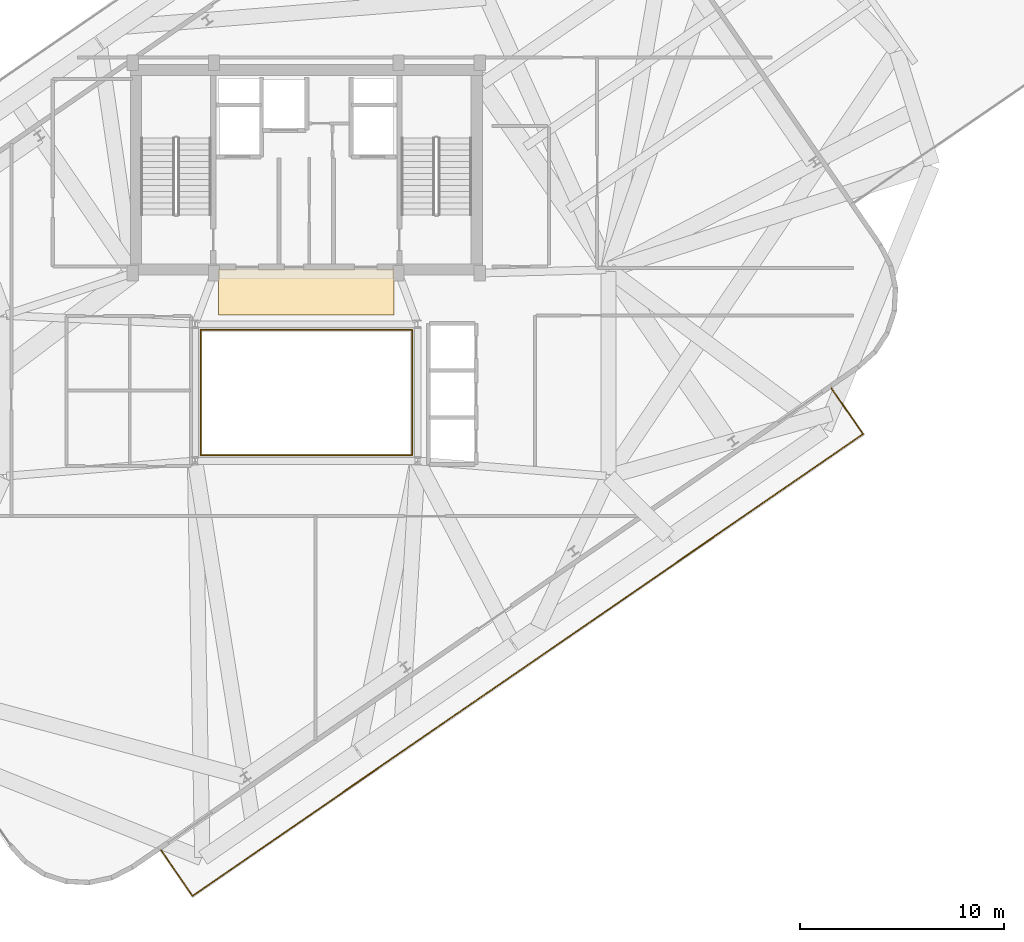
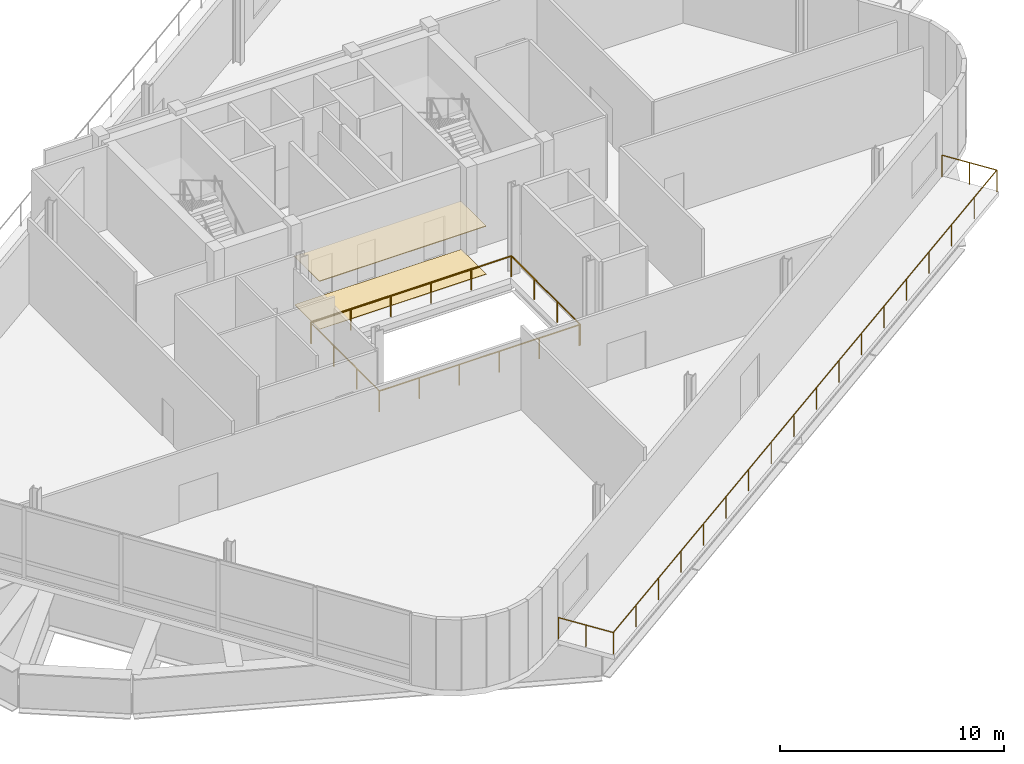
# One storey, part 14 of 18: 3 railings, 2 coverings.
"""IFC4 building model written with IfcOpenShell, lengths in metres."""

from ifc_helpers import new_model, si_unit, direction, frame, origin, origin_2d, place, context, subcontext, project, spatial, rectangle, circle, extrude, source, transform, mapped, material, layer, layer_set, type_object, element, save


model = new_model("IFC4")

# Units and contexts
model_context = context("Model", 3, precision=1e-05, world=origin(), true_north=direction((0.0, 1.0)))
body_context = subcontext(model_context, "Body", "Model", "MODEL_VIEW")
ifc_project = project(units=[si_unit("LENGTHUNIT", "METRE"), si_unit("AREAUNIT", "SQUARE_METRE"), si_unit("VOLUMEUNIT", "CUBIC_METRE"), si_unit("PLANEANGLEUNIT", "RADIAN"), si_unit("MASSUNIT", "GRAM", prefix="KILO")], contexts=[model_context])

# Site, building, storey
site_placement = place(None, origin())
site = spatial("IfcSite", under=ifc_project, at=site_placement, CompositionType="ELEMENT")
building_placement = place(site_placement, origin())
building = spatial("IfcBuilding", under=site, at=building_placement, Name="Varnelok Gate Tower", CompositionType="ELEMENT")
storey_placement = place(building_placement, frame((0.0, 0.0, 296.300048828125)))
storey = spatial("IfcBuildingStorey", under=building, at=storey_placement, Name="L76", CompositionType="ELEMENT", Elevation=296.300048828125)

# Railings
ifc_material_1 = material(Name="Tempered Laminated Balustrade Glass", Category="glass")
railing_type_1 = type_object("IfcRailingType", Name="RL-ATR-GUARD1150", PredefinedType="GUARDRAIL", material=ifc_material_1)
railing_1_placement = place(storey_placement, frame((34.02001953125, 25.929931640625, 0.0)))
element("IfcRailing", 1, at=railing_1_placement, inside=storey, type_object=railing_type_1, Name="L76 Internal Atrium South-West Guardrail", PredefinedType="GUARDRAIL", context=body_context, shape_type="SweptSolid", body=[
    extrude(circle(Radius=0.02392578125, at=origin_2d()), frame((0.0, 0.0, 1.1259765625), z_axis=(0.0, -1.0, 0.0), x_axis=(1.0, 0.0, 0.0)), (0.0, 0.0, 1.0), 6.10986328125),
    extrude(circle(Radius=0.02392578125, at=origin_2d()), frame((0.0, -6.10986328125, 1.1259765625), z_axis=(1.0, 0.0, 0.0), x_axis=(0.0, 1.0, 0.0)), (0.0, 0.0, 1.0), 10.31005859375),
    extrude(circle(Radius=0.02099609375, at=origin_2d()), origin(), (0.0, 0.0, 1.0), 1.101806640625),
    extrude(circle(Radius=0.02099609375, at=origin_2d()), frame((0.0, -2.03662109375, 0.0)), (0.0, 0.0, 1.0), 1.101806640625),
    extrude(circle(Radius=0.02099609375, at=origin_2d()), frame((0.0, -4.0732421875, 0.0)), (0.0, 0.0, 1.0), 1.101806640625),
    extrude(circle(Radius=0.02099609375, at=origin_2d()), frame((0.0, -6.10986328125, 0.0)), (0.0, 0.0, 1.0), 1.101806640625),
    extrude(circle(Radius=0.02099609375, at=origin_2d()), frame((2.06201171875, -6.10986328125, 0.0)), (0.0, 0.0, 1.0), 1.101806640625),
    extrude(circle(Radius=0.02099609375, at=origin_2d()), frame((4.1240234375, -6.10986328125, 0.0)), (0.0, 0.0, 1.0), 1.101806640625),
    extrude(circle(Radius=0.02099609375, at=origin_2d()), frame((6.18603515625, -6.10986328125, 0.0)), (0.0, 0.0, 1.0), 1.101806640625),
    extrude(circle(Radius=0.02099609375, at=origin_2d()), frame((8.248046875, -6.10986328125, 0.0)), (0.0, 0.0, 1.0), 1.101806640625),
    extrude(circle(Radius=0.02099609375, at=origin_2d()), frame((10.31005859375, -6.10986328125, 0.0)), (0.0, 0.0, 1.0), 1.101806640625),
])
railing_2_placement = place(storey_placement, frame((44.3798828125, 19.820068359375, 0.0)))
element("IfcRailing", 2, at=railing_2_placement, inside=storey, type_object=railing_type_1, Name="L76 Internal Atrium North-East Guardrail", PredefinedType="GUARDRAIL", context=body_context, shape_type="SweptSolid", body=[
    extrude(circle(Radius=0.02392578125, at=origin_2d()), frame((0.0, 0.0, 1.1259765625), z_axis=(0.0, 1.0, 0.0), x_axis=(-1.0, 0.0, 0.0)), (0.0, 0.0, 1.0), 6.159912109375),
    extrude(circle(Radius=0.02392578125, at=origin_2d()), frame((0.0, 6.159912109375, 1.1259765625), z_axis=(-1.0, 0.0, 0.0), x_axis=(0.0, -1.0, 0.0)), (0.0, 0.0, 1.0), 10.35986328125),
    extrude(circle(Radius=0.02099609375, at=origin_2d()), origin(), (0.0, 0.0, 1.0), 1.101806640625),
    extrude(circle(Radius=0.02099609375, at=origin_2d()), frame((0.0, 2.05322265625, 0.0)), (0.0, 0.0, 1.0), 1.101806640625),
    extrude(circle(Radius=0.02099609375, at=origin_2d()), frame((0.0, 4.106689453125, 0.0)), (0.0, 0.0, 1.0), 1.101806640625),
    extrude(circle(Radius=0.02099609375, at=origin_2d()), frame((0.0, 6.159912109375, 0.0)), (0.0, 0.0, 1.0), 1.101806640625),
    extrude(circle(Radius=0.02099609375, at=origin_2d()), frame((-2.072021484375, 6.159912109375, 0.0)), (0.0, 0.0, 1.0), 1.101806640625),
    extrude(circle(Radius=0.02099609375, at=origin_2d()), frame((-4.14404296875, 6.159912109375, 0.0)), (0.0, 0.0, 1.0), 1.101806640625),
    extrude(circle(Radius=0.02099609375, at=origin_2d()), frame((-6.2158203125, 6.159912109375, 0.0)), (0.0, 0.0, 1.0), 1.101806640625),
    extrude(circle(Radius=0.02099609375, at=origin_2d()), frame((-8.287841796875, 6.159912109375, 0.0)), (0.0, 0.0, 1.0), 1.101806640625),
    extrude(circle(Radius=0.02099609375, at=origin_2d()), frame((-10.35986328125, 6.159912109375, 0.0)), (0.0, 0.0, 1.0), 1.101806640625),
])
ifc_material_2 = material(Name="Anodized Aluminum Alloy 6063-T6", Category="aluminium")
railing_type_2 = type_object("IfcRailingType", Name="RL-SKYG-1200", PredefinedType="GUARDRAIL", material=ifc_material_2)
railing_3_placement = place(storey_placement, frame((32.08203125, 0.482666015625, 0.0)))
element("IfcRailing", 3, at=railing_3_placement, inside=storey, type_object=railing_type_2, Name="L76 South Terrace Balustrade 1", PredefinedType="GUARDRAIL", context=body_context, shape_type="SweptSolid", body=[
    extrude(circle(Radius=0.02392578125, at=origin_2d()), frame((0.0, 0.0, 1.17578125), z_axis=(0.567271418659, -0.82353089655, 0.0), x_axis=(0.82353089655, 0.567271418659, 0.0)), (0.0, 0.0, 1.0), 2.719970703125),
    extrude(circle(Radius=0.02392578125, at=origin_2d()), frame((1.54296875, -2.239990234375, 1.17578125), z_axis=(0.823529654384, 0.567273221958, 0.0), x_axis=(-0.567273221958, 0.823529654384, 0.0)), (0.0, 0.0, 1.0), 39.8798828125),
    extrude(circle(Radius=0.02392578125, at=origin_2d()), frame((34.38525390625, 20.3828125, 1.17578125), z_axis=(-0.56721053976, 0.823572828343, 0.0), x_axis=(-0.823572828343, -0.56721053976, 0.0)), (0.0, 0.0, 1.0), 2.7197265625),
    extrude(circle(Radius=0.02099609375, at=origin_2d()), origin(), (0.0, 0.0, 1.0), 1.15185546875),
    extrude(circle(Radius=0.02099609375, at=origin_2d()), frame((0.771484375, -1.1201171875, 0.0)), (0.0, 0.0, 1.0), 1.15185546875),
    extrude(circle(Radius=0.02099609375, at=origin_2d()), frame((1.54296875, -2.239990234375, 0.0)), (0.0, 0.0, 1.0), 1.15185546875),
    extrude(circle(Radius=0.02099609375, at=origin_2d()), frame((3.474853515625, -0.9091796875, 0.0)), (0.0, 0.0, 1.0), 1.15185546875),
    extrude(circle(Radius=0.02099609375, at=origin_2d()), frame((5.40673828125, 0.421630859375, 0.0)), (0.0, 0.0, 1.0), 1.15185546875),
    extrude(circle(Radius=0.02099609375, at=origin_2d()), frame((7.338623046875, 1.752197265625, 0.0)), (0.0, 0.0, 1.0), 1.15185546875),
    extrude(circle(Radius=0.02099609375, at=origin_2d()), frame((9.2705078125, 3.0830078125, 0.0)), (0.0, 0.0, 1.0), 1.15185546875),
    extrude(circle(Radius=0.02099609375, at=origin_2d()), frame((11.202392578125, 4.413818359375, 0.0)), (0.0, 0.0, 1.0), 1.15185546875),
    extrude(circle(Radius=0.02099609375, at=origin_2d()), frame((13.13427734375, 5.74462890625, 0.0)), (0.0, 0.0, 1.0), 1.15185546875),
    extrude(circle(Radius=0.02099609375, at=origin_2d()), frame((15.066162109375, 7.0751953125, 0.0)), (0.0, 0.0, 1.0), 1.15185546875),
    extrude(circle(Radius=0.02099609375, at=origin_2d()), frame((16.998046875, 8.406005859375, 0.0)), (0.0, 0.0, 1.0), 1.15185546875),
    extrude(circle(Radius=0.02099609375, at=origin_2d()), frame((18.93017578125, 9.73681640625, 0.0)), (0.0, 0.0, 1.0), 1.15185546875),
    extrude(circle(Radius=0.02099609375, at=origin_2d()), frame((20.862060546875, 11.067626953125, 0.0)), (0.0, 0.0, 1.0), 1.15185546875),
    extrude(circle(Radius=0.02099609375, at=origin_2d()), frame((22.7939453125, 12.398193359375, 0.0)), (0.0, 0.0, 1.0), 1.15185546875),
    extrude(circle(Radius=0.02099609375, at=origin_2d()), frame((24.725830078125, 13.72900390625, 0.0)), (0.0, 0.0, 1.0), 1.15185546875),
    extrude(circle(Radius=0.02099609375, at=origin_2d()), frame((26.65771484375, 15.059814453125, 0.0)), (0.0, 0.0, 1.0), 1.15185546875),
    extrude(circle(Radius=0.02099609375, at=origin_2d()), frame((28.589599609375, 16.390625, 0.0)), (0.0, 0.0, 1.0), 1.15185546875),
    extrude(circle(Radius=0.02099609375, at=origin_2d()), frame((30.521484375, 17.72119140625, 0.0)), (0.0, 0.0, 1.0), 1.15185546875),
    extrude(circle(Radius=0.02099609375, at=origin_2d()), frame((32.453369140625, 19.052001953125, 0.0)), (0.0, 0.0, 1.0), 1.15185546875),
    extrude(circle(Radius=0.02099609375, at=origin_2d()), frame((34.38525390625, 20.3828125, 0.0)), (0.0, 0.0, 1.0), 1.15185546875),
    extrude(circle(Radius=0.02099609375, at=origin_2d()), frame((33.61376953125, 21.5029296875, 0.0)), (0.0, 0.0, 1.0), 1.15185546875),
    extrude(circle(Radius=0.02099609375, at=origin_2d()), frame((32.842529296875, 22.622802734375, 0.0)), (0.0, 0.0, 1.0), 1.15185546875),
])

# Coverings
ifc_material_3 = material(Name="Honed Travertine Stone Flooring", Category="masonry")
ifc_layer_1 = layer(ifc_material_3, 0.02490234375)
ifc_layer_set_1 = layer_set([ifc_layer_1], Name="Honed Travertine Stone Flooring")
covering_type_1 = type_object("IfcCoveringType", Name="COV-FLOR-STONE", PredefinedType="FLOORING", material=ifc_layer_set_1)
shared_shape_1 = source(origin(), body_context, "Body", "SweptSolid", [
    extrude(rectangle(XDim=8.60009765625, YDim=2.219970703125, at=origin_2d()), origin(), (0.0, 0.0, 1.0), 0.02490234375),
])
covering_1_placement = place(storey_placement, frame((39.199951171875, 27.800048828125, 0.0), z_axis=(0.0, 0.0, 1.0), x_axis=(1.0, 0.0, 0.0)))
element("IfcCovering", 4, at=covering_1_placement, inside=storey, type_object=covering_type_1, Name="L76 Core Gallery Stone Flooring", PredefinedType="FLOORING", context=body_context, shape_type="MappedRepresentation", body=[
    mapped(shared_shape_1, transform((0.0, 0.0, 0.0), scale=1.0)),
])
ifc_material_4 = material(Name="Mineral Fiber Acoustic Ceiling Tile")
ifc_layer_2 = layer(ifc_material_4, 0.0400390625)
ifc_layer_set_2 = layer_set([ifc_layer_2], Name="Mineral Fiber Acoustic Ceiling Tile")
covering_type_2 = type_object("IfcCoveringType", Name="COV-CEIL-ACOUST", PredefinedType="CEILING", material=ifc_layer_set_2)
shared_shape_2 = source(origin(), body_context, "Body", "SweptSolid", [
    extrude(rectangle(XDim=8.60009765625, YDim=2.239990234375, at=origin_2d()), origin(), (0.0, 0.0, 1.0), 0.0400390625),
])
covering_2_placement = place(storey_placement, frame((39.199951171875, 27.820068359375, 2.599853515625), z_axis=(0.0, 0.0, 1.0), x_axis=(1.0, 0.0, 0.0)))
element("IfcCovering", 5, at=covering_2_placement, inside=storey, type_object=covering_type_2, Name="L76 Core Gallery Acoustic Ceiling", PredefinedType="CEILING", context=body_context, shape_type="MappedRepresentation", body=[
    mapped(shared_shape_2, transform((0.0, 0.0, 0.0), scale=1.0)),
])

save(model, "model.ifc")
